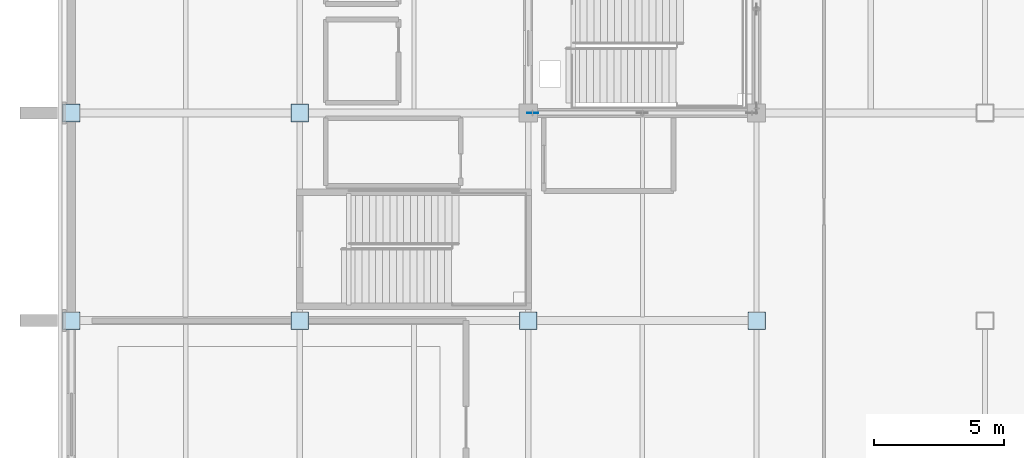
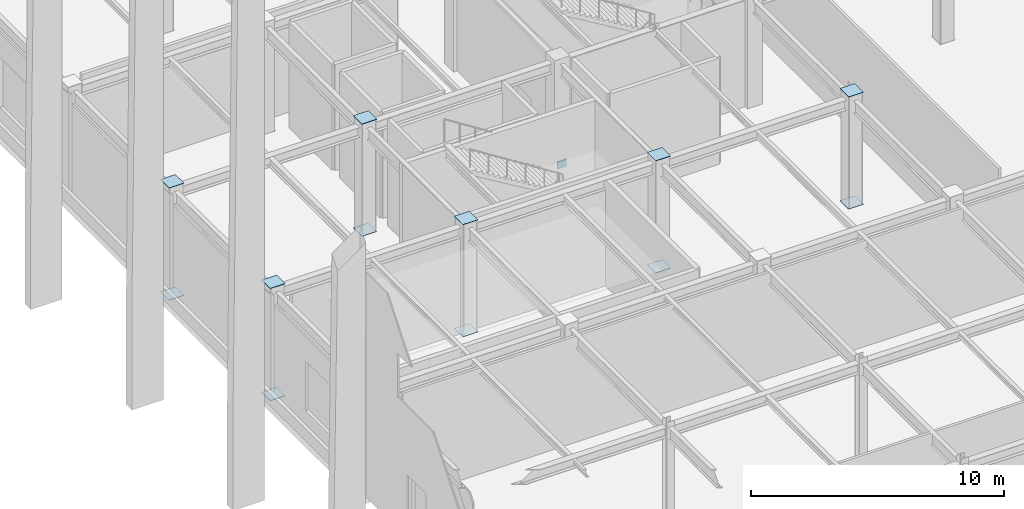
# One storey, part 70 of 119: 13 plates.
"""IFC4 building model written with IfcOpenShell, lengths in metres."""

from ifc_helpers import new_model, si_unit, direction, frame, origin, origin_2d, place, context, subcontext, project, spatial, rectangle, extrude, material, layer, layer_set, type_object, element, save


model = new_model("IFC4")

# Units and contexts
model_context = context("Model", 3, precision=1e-05, world=origin(), true_north=direction((0.0, 1.0)))
body_context = subcontext(model_context, "Body", "Model", "MODEL_VIEW")
ifc_project = project(units=[si_unit("LENGTHUNIT", "METRE"), si_unit("AREAUNIT", "SQUARE_METRE"), si_unit("VOLUMEUNIT", "CUBIC_METRE"), si_unit("PLANEANGLEUNIT", "RADIAN"), si_unit("MASSUNIT", "GRAM", prefix="KILO")], contexts=[model_context])

# Site, building, storey
site_placement = place(None, origin())
site = spatial("IfcSite", under=ifc_project, at=site_placement, CompositionType="ELEMENT")
building_placement = place(site_placement, origin())
building = spatial("IfcBuilding", under=site, at=building_placement, Name="Zhaolan Boulevard Law Courts", CompositionType="ELEMENT")
storey_placement = place(building_placement, origin())
storey = spatial("IfcBuildingStorey", under=building, at=storey_placement, Name="L00", CompositionType="ELEMENT", Elevation=0.0)

# Plates
ifc_material_1 = material(Name="Structural steel Q355B", Category="steel")
ifc_layer_1 = layer(ifc_material_1, 0.02392578125)
ifc_layer_set_1 = layer_set([ifc_layer_1])
plate_type_1 = type_object("IfcPlateType", Name="BRACE GUSSET PLATE 24", PredefinedType="SHEET", material=ifc_layer_set_1)
plate_placement = place(storey_placement, frame((17.780029296875, 46.0, -0.14990234375), z_axis=(0.0, 0.0, 1.0), x_axis=(1.0, 0.0, 0.0)))
element("IfcPlate", 1, at=plate_placement, inside=storey, type_object=plate_type_1, Name="Brace Gusset Connection Plate GP-W1-L00-SA1", PredefinedType="SHEET", context=body_context, shape_type="SweptSolid", body=[
    extrude(rectangle(XDim=0.419921875, YDim=0.02392578125, at=origin_2d()), origin(), (0.0, 0.0, 1.0), 0.360107421875),
])
ifc_material_2 = material(Name="Structural steel Q355B", Category="steel")
ifc_layer_2 = layer(ifc_material_2, 0.02001953125)
ifc_layer_set_2 = layer_set([ifc_layer_2])
plate_type_2 = type_object("IfcPlateType", Name="END CAP PLATE 20", PredefinedType="SHEET", material=ifc_layer_set_2)
for number, where, z_axis, x_axis, name in (
    (2, (0.0, 38.0, -0.01806640625), (0.0, 0.0, 1.0), (1.0, 0.0, 0.0), "Hollow Section End-Cap Plate ECP-0023"),
    (3, (0.0, 38.0, 5.39794921875), (0.0, 0.0, 1.0), (1.0, 0.0, 0.0), "Hollow Section End-Cap Plate ECP-0024"),
    (4, (0.0, 46.0, -0.01806640625), (0.0, 0.0, 1.0), (1.0, 0.0, 0.0), "Hollow Section End-Cap Plate ECP-0045"),
    (5, (0.0, 46.0, 5.39794921875), (0.0, 0.0, 1.0), (1.0, 0.0, 0.0), "Hollow Section End-Cap Plate ECP-0046"),
    (6, (8.800048828125, 38.0, -0.01806640625), (0.0, 0.0, 1.0), (1.0, 0.0, 0.0), "Hollow Section End-Cap Plate ECP-0157"),
    (7, (8.800048828125, 38.0, 5.39794921875), (0.0, 0.0, 1.0), (1.0, 0.0, 0.0), "Hollow Section End-Cap Plate ECP-0158"),
    (8, (8.800048828125, 46.0, -0.01806640625), (0.0, 0.0, 1.0), (1.0, 0.0, 0.0), "Hollow Section End-Cap Plate ECP-0179"),
    (9, (8.800048828125, 46.0, 5.39794921875), (0.0, 0.0, 1.0), (1.0, 0.0, 0.0), "Hollow Section End-Cap Plate ECP-0180"),
    (10, (17.60009765625, 38.0, -0.01806640625), (0.0, 0.0, 1.0), (1.0, 0.0, 0.0), "Hollow Section End-Cap Plate ECP-0291"),
    (11, (17.60009765625, 38.0, 5.39794921875), (0.0, 0.0, 1.0), (1.0, 0.0, 0.0), "Hollow Section End-Cap Plate ECP-0292"),
    (12, (26.39990234375, 38.0, -0.01806640625), (0.0, 0.0, 1.0), (1.0, 0.0, 0.0), "Hollow Section End-Cap Plate ECP-0337"),
    (13, (26.39990234375, 38.0, 5.39794921875), (0.0, 0.0, 1.0), (1.0, 0.0, 0.0), "Hollow Section End-Cap Plate ECP-0338"),
):
    element("IfcPlate", number, at=place(storey_placement, frame(where, z_axis=z_axis, x_axis=x_axis)), inside=storey, type_object=plate_type_2, Name=name, PredefinedType="SHEET", context=body_context, shape_type="SweptSolid", body=[
        extrude(rectangle(XDim=0.679931640625, YDim=0.679931640625, at=origin_2d()), origin(), (0.0, 0.0, 1.0), 0.02001953125),
    ])

save(model, "model.ifc")
